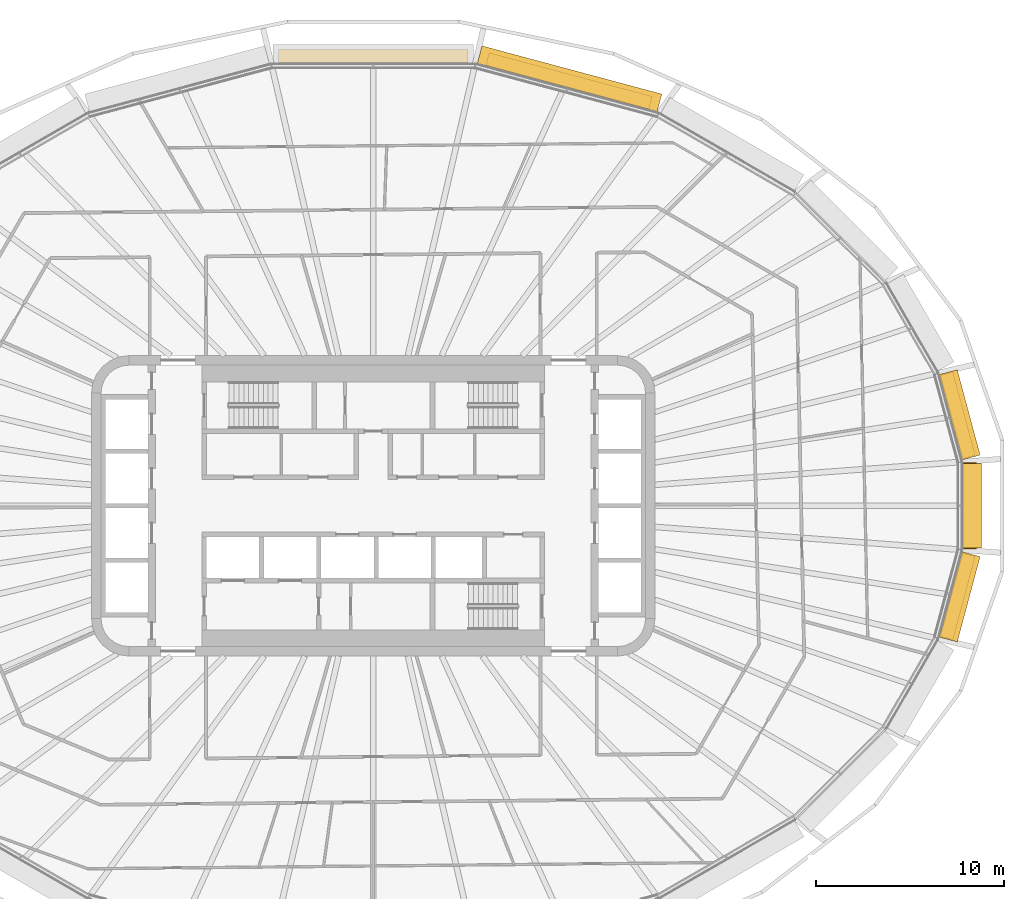
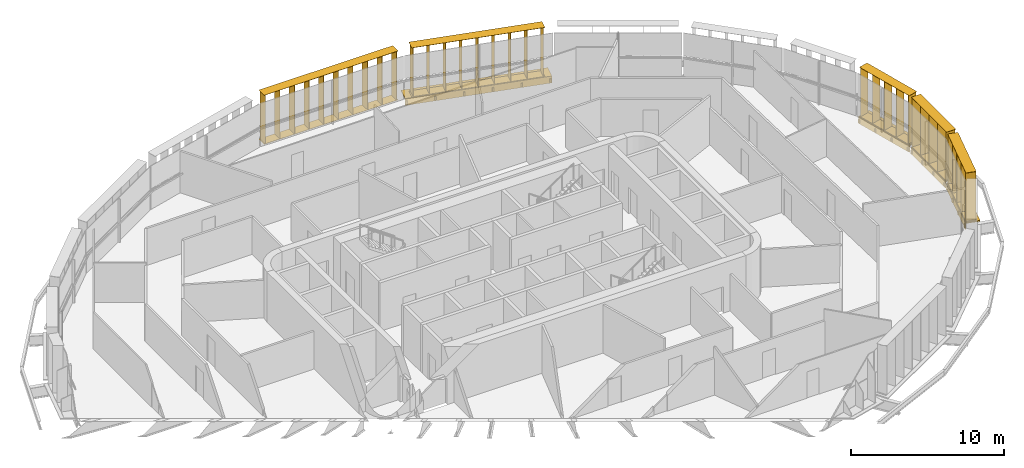
# One storey, part 23 of 23: 9 shading devices.
"""IFC4 building model written with IfcOpenShell, lengths in metres."""

from ifc_helpers import new_model, si_unit, direction, frame, origin, origin_2d, place, context, subcontext, project, spatial, rectangle, extrude, material, type_object, element, save


model = new_model("IFC4")

# Units and contexts
model_context = context("Model", 3, precision=1e-05, world=origin(), true_north=direction((0.0, 1.0)))
body_context = subcontext(model_context, "Body", "Model", "MODEL_VIEW")
ifc_project = project(units=[si_unit("LENGTHUNIT", "METRE"), si_unit("AREAUNIT", "SQUARE_METRE"), si_unit("VOLUMEUNIT", "CUBIC_METRE"), si_unit("PLANEANGLEUNIT", "RADIAN"), si_unit("MASSUNIT", "GRAM", prefix="KILO")], contexts=[model_context])

# Site, building, storey
site_placement = place(None, origin())
site = spatial("IfcSite", under=ifc_project, at=site_placement, CompositionType="ELEMENT")
building_placement = place(site_placement, origin())
building = spatial("IfcBuilding", under=site, at=building_placement, Name="Sahrelin Media Tower", CompositionType="ELEMENT")
storey_placement = place(building_placement, frame((0.0, 0.0, 157.60009765625)))
storey = spatial("IfcBuildingStorey", under=building, at=storey_placement, Name="L32", CompositionType="ELEMENT", Elevation=157.60009765625)

# Shading devices
ifc_material = material(Name="Champagne anodised aluminium 6063-T6", Category="aluminium")
shading_device_type_1 = type_object("IfcShadingDeviceType", Name="Fin cassette", PredefinedType="USERDEFINED", material=ifc_material)
placement_1 = place(storey_placement, frame((31.3515625, 0.0, 0.0), z_axis=(0.0, 0.0, 1.0), x_axis=(0.0, -1.0, 0.0)))
element("IfcShadingDevice", 1, at=placement_1, inside=storey, type_object=shading_device_type_1, Name="L32:FIN:L32-00", ObjectType="FIN", PredefinedType="USERDEFINED", context=body_context, shape_type="SweptSolid", body=[
    extrude(rectangle(XDim=4.60009765625, YDim=0.699951171875, at=origin_2d()), frame((0.0, 0.419921875, 0.0)), (0.0, 0.0, 1.0), 0.02001953125),
    extrude(rectangle(XDim=4.60009765625, YDim=0.699951171875, at=origin_2d()), frame((0.0, 0.419921875, 3.89990234375)), (0.0, 0.0, 1.0), 0.02001953125),
    extrude(rectangle(XDim=0.02001953125, YDim=0.699951171875, at=origin_2d()), frame((-2.199951171875, 0.419921875, 0.010009765625), z_axis=(0.0, 0.0, 1.0), x_axis=(1.0, 0.0, 0.0)), (0.0, 0.0, 1.0), 3.89990234375),
    extrude(rectangle(XDim=0.02001953125, YDim=0.699951171875, at=origin_2d()), frame((-1.10009765625, 0.419921875, 0.010009765625), z_axis=(0.0, 0.0, 1.0), x_axis=(1.0, 0.0, 0.0)), (0.0, 0.0, 1.0), 3.89990234375),
    extrude(rectangle(XDim=0.02001953125, YDim=0.699951171875, at=origin_2d()), frame((0.0, 0.419921875, 0.010009765625), z_axis=(0.0, 0.0, 1.0), x_axis=(1.0, 0.0, 0.0)), (0.0, 0.0, 1.0), 3.89990234375),
    extrude(rectangle(XDim=0.02001953125, YDim=0.699951171875, at=origin_2d()), frame((1.10009765625, 0.419921875, 0.010009765625), z_axis=(0.0, 0.0, 1.0), x_axis=(1.0, 0.0, 0.0)), (0.0, 0.0, 1.0), 3.89990234375),
    extrude(rectangle(XDim=0.02001953125, YDim=0.699951171875, at=origin_2d()), frame((2.199951171875, 0.419921875, 0.010009765625), z_axis=(0.0, 0.0, 1.0), x_axis=(1.0, 0.0, 0.0)), (0.0, 0.0, 1.0), 3.89990234375),
])
placement_2 = place(storey_placement, frame((30.71728515625, 4.709716796875, 0.0), z_axis=(0.0, 0.0, 1.0), x_axis=(0.258807731996, -0.965928857556, 0.0)))
element("IfcShadingDevice", 2, at=placement_2, inside=storey, type_object=shading_device_type_1, Name="L32:FIN:L32-01", ObjectType="FIN", PredefinedType="USERDEFINED", context=body_context, shape_type="SweptSolid", body=[
    extrude(rectangle(XDim=4.60009765625, YDim=0.699951171875, at=origin_2d()), frame((0.0, 0.419921875, 0.0)), (0.0, 0.0, 1.0), 0.02001953125),
    extrude(rectangle(XDim=4.60009765625, YDim=0.699951171875, at=origin_2d()), frame((0.0, 0.419921875, 3.89990234375)), (0.0, 0.0, 1.0), 0.02001953125),
    extrude(rectangle(XDim=0.02001953125, YDim=0.699951171875, at=origin_2d()), frame((-2.199951171875, 0.419921875, 0.010009765625), z_axis=(0.0, 0.0, 1.0), x_axis=(1.0, 0.0, 0.0)), (0.0, 0.0, 1.0), 3.89990234375),
    extrude(rectangle(XDim=0.02001953125, YDim=0.699951171875, at=origin_2d()), frame((-1.10009765625, 0.419921875, 0.010009765625), z_axis=(0.0, 0.0, 1.0), x_axis=(1.0, 0.0, 0.0)), (0.0, 0.0, 1.0), 3.89990234375),
    extrude(rectangle(XDim=0.02001953125, YDim=0.699951171875, at=origin_2d()), frame((0.0, 0.419921875, 0.010009765625), z_axis=(0.0, 0.0, 1.0), x_axis=(1.0, 0.0, 0.0)), (0.0, 0.0, 1.0), 3.89990234375),
    extrude(rectangle(XDim=0.02001953125, YDim=0.699951171875, at=origin_2d()), frame((1.10009765625, 0.419921875, 0.010009765625), z_axis=(0.0, 0.0, 1.0), x_axis=(1.0, 0.0, 0.0)), (0.0, 0.0, 1.0), 3.89990234375),
    extrude(rectangle(XDim=0.02001953125, YDim=0.699951171875, at=origin_2d()), frame((2.199951171875, 0.419921875, 0.010009765625), z_axis=(0.0, 0.0, 1.0), x_axis=(1.0, 0.0, 0.0)), (0.0, 0.0, 1.0), 3.89990234375),
])
placement_3 = place(storey_placement, frame((10.312255859375, 22.2236328125, 0.0), z_axis=(0.0, 0.0, 1.0), x_axis=(0.965928857556, -0.258807731996, 0.0)))
element("IfcShadingDevice", 3, at=placement_3, inside=storey, type_object=shading_device_type_1, Name="L32:FIN:L32-05", ObjectType="FIN", PredefinedType="USERDEFINED", context=body_context, shape_type="SweptSolid", body=[
    extrude(rectangle(XDim=9.0, YDim=0.699951171875, at=origin_2d()), frame((0.0, 0.419921875, 0.0)), (0.0, 0.0, 1.0), 0.02001953125),
    extrude(rectangle(XDim=9.0, YDim=0.699951171875, at=origin_2d()), frame((0.0, 0.419921875, 3.89990234375)), (0.0, 0.0, 1.0), 0.02001953125),
    extrude(rectangle(XDim=0.02001953125, YDim=0.699951171875, at=origin_2d()), frame((-4.39990234375, 0.419921875, 0.010009765625), z_axis=(0.0, 0.0, 1.0), x_axis=(1.0, 0.0, 0.0)), (0.0, 0.0, 1.0), 3.89990234375),
    extrude(rectangle(XDim=0.02001953125, YDim=0.699951171875, at=origin_2d()), frame((-3.300048828125, 0.419921875, 0.010009765625), z_axis=(0.0, 0.0, 1.0), x_axis=(1.0, 0.0, 0.0)), (0.0, 0.0, 1.0), 3.89990234375),
    extrude(rectangle(XDim=0.02001953125, YDim=0.699951171875, at=origin_2d()), frame((-2.199951171875, 0.419921875, 0.010009765625), z_axis=(0.0, 0.0, 1.0), x_axis=(1.0, 0.0, 0.0)), (0.0, 0.0, 1.0), 3.89990234375),
    extrude(rectangle(XDim=0.02001953125, YDim=0.699951171875, at=origin_2d()), frame((-1.10009765625, 0.419921875, 0.010009765625), z_axis=(0.0, 0.0, 1.0), x_axis=(1.0, 0.0, 0.0)), (0.0, 0.0, 1.0), 3.89990234375),
    extrude(rectangle(XDim=0.02001953125, YDim=0.699951171875, at=origin_2d()), frame((0.0, 0.419921875, 0.010009765625), z_axis=(0.0, 0.0, 1.0), x_axis=(1.0, 0.0, 0.0)), (0.0, 0.0, 1.0), 3.89990234375),
    extrude(rectangle(XDim=0.02001953125, YDim=0.699951171875, at=origin_2d()), frame((1.10009765625, 0.419921875, 0.010009765625), z_axis=(0.0, 0.0, 1.0), x_axis=(1.0, 0.0, 0.0)), (0.0, 0.0, 1.0), 3.89990234375),
    extrude(rectangle(XDim=0.02001953125, YDim=0.699951171875, at=origin_2d()), frame((2.199951171875, 0.419921875, 0.010009765625), z_axis=(0.0, 0.0, 1.0), x_axis=(1.0, 0.0, 0.0)), (0.0, 0.0, 1.0), 3.89990234375),
    extrude(rectangle(XDim=0.02001953125, YDim=0.699951171875, at=origin_2d()), frame((3.300048828125, 0.419921875, 0.010009765625), z_axis=(0.0, 0.0, 1.0), x_axis=(1.0, 0.0, 0.0)), (0.0, 0.0, 1.0), 3.89990234375),
    extrude(rectangle(XDim=0.02001953125, YDim=0.699951171875, at=origin_2d()), frame((4.39990234375, 0.419921875, 0.010009765625), z_axis=(0.0, 0.0, 1.0), x_axis=(1.0, 0.0, 0.0)), (0.0, 0.0, 1.0), 3.89990234375),
])
shading_device_4_placement = place(storey_placement, frame((0.0, 23.532470703125, 0.0), z_axis=(0.0, 0.0, 1.0), x_axis=(1.0, 0.0, 0.0)))
element("IfcShadingDevice", 4, at=shading_device_4_placement, inside=storey, type_object=shading_device_type_1, Name="L32:FIN:L32-06", ObjectType="FIN", PredefinedType="USERDEFINED", context=body_context, shape_type="SweptSolid", body=[
    extrude(rectangle(XDim=10.10009765625, YDim=0.699951171875, at=origin_2d()), frame((0.0, 0.419921875, 0.0)), (0.0, 0.0, 1.0), 0.02001953125),
    extrude(rectangle(XDim=10.10009765625, YDim=0.699951171875, at=origin_2d()), frame((0.0, 0.419921875, 3.89990234375)), (0.0, 0.0, 1.0), 0.02001953125),
    extrude(rectangle(XDim=0.02001953125, YDim=0.699951171875, at=origin_2d()), frame((-4.949951171875, 0.419921875, 0.010009765625), z_axis=(0.0, 0.0, 1.0), x_axis=(1.0, 0.0, 0.0)), (0.0, 0.0, 1.0), 3.89990234375),
    extrude(rectangle(XDim=0.02001953125, YDim=0.699951171875, at=origin_2d()), frame((-3.85009765625, 0.419921875, 0.010009765625), z_axis=(0.0, 0.0, 1.0), x_axis=(1.0, 0.0, 0.0)), (0.0, 0.0, 1.0), 3.89990234375),
    extrude(rectangle(XDim=0.02001953125, YDim=0.699951171875, at=origin_2d()), frame((-2.75, 0.419921875, 0.010009765625), z_axis=(0.0, 0.0, 1.0), x_axis=(1.0, 0.0, 0.0)), (0.0, 0.0, 1.0), 3.89990234375),
    extrude(rectangle(XDim=0.02001953125, YDim=0.699951171875, at=origin_2d()), frame((-1.64990234375, 0.419921875, 0.010009765625), z_axis=(0.0, 0.0, 1.0), x_axis=(1.0, 0.0, 0.0)), (0.0, 0.0, 1.0), 3.89990234375),
    extrude(rectangle(XDim=0.02001953125, YDim=0.699951171875, at=origin_2d()), frame((-0.550048828125, 0.419921875, 0.010009765625), z_axis=(0.0, 0.0, 1.0), x_axis=(1.0, 0.0, 0.0)), (0.0, 0.0, 1.0), 3.89990234375),
    extrude(rectangle(XDim=0.02001953125, YDim=0.699951171875, at=origin_2d()), frame((0.550048828125, 0.419921875, 0.010009765625), z_axis=(0.0, 0.0, 1.0), x_axis=(1.0, 0.0, 0.0)), (0.0, 0.0, 1.0), 3.89990234375),
    extrude(rectangle(XDim=0.02001953125, YDim=0.699951171875, at=origin_2d()), frame((1.64990234375, 0.419921875, 0.010009765625), z_axis=(0.0, 0.0, 1.0), x_axis=(1.0, 0.0, 0.0)), (0.0, 0.0, 1.0), 3.89990234375),
    extrude(rectangle(XDim=0.02001953125, YDim=0.699951171875, at=origin_2d()), frame((2.75, 0.419921875, 0.010009765625), z_axis=(0.0, 0.0, 1.0), x_axis=(1.0, 0.0, 0.0)), (0.0, 0.0, 1.0), 3.89990234375),
    extrude(rectangle(XDim=0.02001953125, YDim=0.699951171875, at=origin_2d()), frame((3.85009765625, 0.419921875, 0.010009765625), z_axis=(0.0, 0.0, 1.0), x_axis=(1.0, 0.0, 0.0)), (0.0, 0.0, 1.0), 3.89990234375),
    extrude(rectangle(XDim=0.02001953125, YDim=0.699951171875, at=origin_2d()), frame((4.949951171875, 0.419921875, 0.010009765625), z_axis=(0.0, 0.0, 1.0), x_axis=(1.0, 0.0, 0.0)), (0.0, 0.0, 1.0), 3.89990234375),
])
placement_4 = place(storey_placement, frame((30.71728515625, -4.709716796875, 0.0), z_axis=(0.0, 0.0, 1.0), x_axis=(-0.258807731996, -0.965928857556, 0.0)))
element("IfcShadingDevice", 5, at=placement_4, inside=storey, type_object=shading_device_type_1, Name="L32:FIN:L32-23", ObjectType="FIN", PredefinedType="USERDEFINED", context=body_context, shape_type="SweptSolid", body=[
    extrude(rectangle(XDim=4.60009765625, YDim=0.699951171875, at=origin_2d()), frame((0.0, 0.419921875, 0.0)), (0.0, 0.0, 1.0), 0.02001953125),
    extrude(rectangle(XDim=4.60009765625, YDim=0.699951171875, at=origin_2d()), frame((0.0, 0.419921875, 3.89990234375)), (0.0, 0.0, 1.0), 0.02001953125),
    extrude(rectangle(XDim=0.02001953125, YDim=0.699951171875, at=origin_2d()), frame((-2.199951171875, 0.419921875, 0.010009765625), z_axis=(0.0, 0.0, 1.0), x_axis=(1.0, 0.0, 0.0)), (0.0, 0.0, 1.0), 3.89990234375),
    extrude(rectangle(XDim=0.02001953125, YDim=0.699951171875, at=origin_2d()), frame((-1.10009765625, 0.419921875, 0.010009765625), z_axis=(0.0, 0.0, 1.0), x_axis=(1.0, 0.0, 0.0)), (0.0, 0.0, 1.0), 3.89990234375),
    extrude(rectangle(XDim=0.02001953125, YDim=0.699951171875, at=origin_2d()), frame((0.0, 0.419921875, 0.010009765625), z_axis=(0.0, 0.0, 1.0), x_axis=(1.0, 0.0, 0.0)), (0.0, 0.0, 1.0), 3.89990234375),
    extrude(rectangle(XDim=0.02001953125, YDim=0.699951171875, at=origin_2d()), frame((1.10009765625, 0.419921875, 0.010009765625), z_axis=(0.0, 0.0, 1.0), x_axis=(1.0, 0.0, 0.0)), (0.0, 0.0, 1.0), 3.89990234375),
    extrude(rectangle(XDim=0.02001953125, YDim=0.699951171875, at=origin_2d()), frame((2.199951171875, 0.419921875, 0.010009765625), z_axis=(0.0, 0.0, 1.0), x_axis=(1.0, 0.0, 0.0)), (0.0, 0.0, 1.0), 3.89990234375),
])
shading_device_type_2 = type_object("IfcShadingDeviceType", Name="Sunshade band", PredefinedType="USERDEFINED", material=ifc_material)
element("IfcShadingDevice", 6, at=placement_1, inside=storey, type_object=shading_device_type_2, Name="L32:SUN:L32-00", ObjectType="SUNSHADE", PredefinedType="USERDEFINED", context=body_context, shape_type="SweptSolid", body=[
    extrude(rectangle(XDim=4.486083984375, YDim=0.050048828125, at=origin_2d()), frame((0.0, 0.044921875, -0.55126953125)), (0.0, 0.0, 1.0), 0.471435546875),
    extrude(rectangle(XDim=4.486083984375, YDim=1.0, at=origin_2d()), frame((0.0, 0.52001953125, -0.080078125)), (0.0, 0.0, 1.0), 0.080078125),
    extrude(rectangle(XDim=0.10009765625, YDim=0.074951171875, at=origin_2d()), frame((-2.14306640625, -0.017578125, -0.47021484375)), (0.0, 0.0, 1.0), 0.300048828125),
    extrude(rectangle(XDim=0.10009765625, YDim=0.074951171875, at=origin_2d()), frame((-0.71435546875, -0.017578125, -0.47021484375)), (0.0, 0.0, 1.0), 0.300048828125),
    extrude(rectangle(XDim=0.10009765625, YDim=0.074951171875, at=origin_2d()), frame((0.71435546875, -0.017578125, -0.47021484375)), (0.0, 0.0, 1.0), 0.300048828125),
    extrude(rectangle(XDim=0.10009765625, YDim=0.074951171875, at=origin_2d()), frame((2.14306640625, -0.017578125, -0.47021484375)), (0.0, 0.0, 1.0), 0.300048828125),
])
element("IfcShadingDevice", 7, at=placement_2, inside=storey, type_object=shading_device_type_2, Name="L32:SUN:L32-01", ObjectType="SUNSHADE", PredefinedType="USERDEFINED", context=body_context, shape_type="SweptSolid", body=[
    extrude(rectangle(XDim=4.70068359375, YDim=0.050048828125, at=origin_2d()), frame((0.0, 0.044921875, -0.55126953125)), (0.0, 0.0, 1.0), 0.471435546875),
    extrude(rectangle(XDim=4.70068359375, YDim=1.0, at=origin_2d()), frame((0.0, 0.52001953125, -0.080078125)), (0.0, 0.0, 1.0), 0.080078125),
    extrude(rectangle(XDim=0.10009765625, YDim=0.074951171875, at=origin_2d()), frame((-2.250244140625, -0.017578125, -0.47021484375)), (0.0, 0.0, 1.0), 0.300048828125),
    extrude(rectangle(XDim=0.10009765625, YDim=0.074951171875, at=origin_2d()), frame((-0.75, -0.017578125, -0.47021484375)), (0.0, 0.0, 1.0), 0.300048828125),
    extrude(rectangle(XDim=0.10009765625, YDim=0.074951171875, at=origin_2d()), frame((0.75, -0.017578125, -0.47021484375)), (0.0, 0.0, 1.0), 0.300048828125),
    extrude(rectangle(XDim=0.10009765625, YDim=0.074951171875, at=origin_2d()), frame((2.250244140625, -0.017578125, -0.47021484375)), (0.0, 0.0, 1.0), 0.300048828125),
])
element("IfcShadingDevice", 8, at=placement_3, inside=storey, type_object=shading_device_type_2, Name="L32:SUN:L32-05", ObjectType="SUNSHADE", PredefinedType="USERDEFINED", context=body_context, shape_type="SweptSolid", body=[
    extrude(rectangle(XDim=9.91259765625, YDim=0.050048828125, at=origin_2d()), frame((0.0, 0.044921875, -0.55126953125)), (0.0, 0.0, 1.0), 0.471435546875),
    extrude(rectangle(XDim=9.91259765625, YDim=1.0, at=origin_2d()), frame((0.0, 0.52001953125, -0.080078125)), (0.0, 0.0, 1.0), 0.080078125),
    extrude(rectangle(XDim=0.10009765625, YDim=0.074951171875, at=origin_2d()), frame((-4.856201171875, -0.017578125, -0.47021484375)), (0.0, 0.0, 1.0), 0.300048828125),
    extrude(rectangle(XDim=0.10009765625, YDim=0.074951171875, at=origin_2d()), frame((-2.913818359375, -0.017578125, -0.47021484375)), (0.0, 0.0, 1.0), 0.300048828125),
    extrude(rectangle(XDim=0.10009765625, YDim=0.074951171875, at=origin_2d()), frame((-0.97119140625, -0.017578125, -0.47021484375)), (0.0, 0.0, 1.0), 0.300048828125),
    extrude(rectangle(XDim=0.10009765625, YDim=0.074951171875, at=origin_2d()), frame((0.97119140625, -0.017578125, -0.47021484375)), (0.0, 0.0, 1.0), 0.300048828125),
    extrude(rectangle(XDim=0.10009765625, YDim=0.074951171875, at=origin_2d()), frame((2.913818359375, -0.017578125, -0.47021484375)), (0.0, 0.0, 1.0), 0.300048828125),
    extrude(rectangle(XDim=0.10009765625, YDim=0.074951171875, at=origin_2d()), frame((4.856201171875, -0.017578125, -0.47021484375)), (0.0, 0.0, 1.0), 0.300048828125),
])
element("IfcShadingDevice", 9, at=placement_4, inside=storey, type_object=shading_device_type_2, Name="L32:SUN:L32-23", ObjectType="SUNSHADE", PredefinedType="USERDEFINED", context=body_context, shape_type="SweptSolid", body=[
    extrude(rectangle(XDim=4.70068359375, YDim=0.050048828125, at=origin_2d()), frame((0.0, 0.044921875, -0.55126953125)), (0.0, 0.0, 1.0), 0.471435546875),
    extrude(rectangle(XDim=4.70068359375, YDim=1.0, at=origin_2d()), frame((0.0, 0.52001953125, -0.080078125)), (0.0, 0.0, 1.0), 0.080078125),
    extrude(rectangle(XDim=0.10009765625, YDim=0.074951171875, at=origin_2d()), frame((-2.250244140625, -0.017578125, -0.47021484375)), (0.0, 0.0, 1.0), 0.300048828125),
    extrude(rectangle(XDim=0.10009765625, YDim=0.074951171875, at=origin_2d()), frame((-0.75, -0.017578125, -0.47021484375)), (0.0, 0.0, 1.0), 0.300048828125),
    extrude(rectangle(XDim=0.10009765625, YDim=0.074951171875, at=origin_2d()), frame((0.75, -0.017578125, -0.47021484375)), (0.0, 0.0, 1.0), 0.300048828125),
    extrude(rectangle(XDim=0.10009765625, YDim=0.074951171875, at=origin_2d()), frame((2.250244140625, -0.017578125, -0.47021484375)), (0.0, 0.0, 1.0), 0.300048828125),
])

save(model, "model.ifc")
